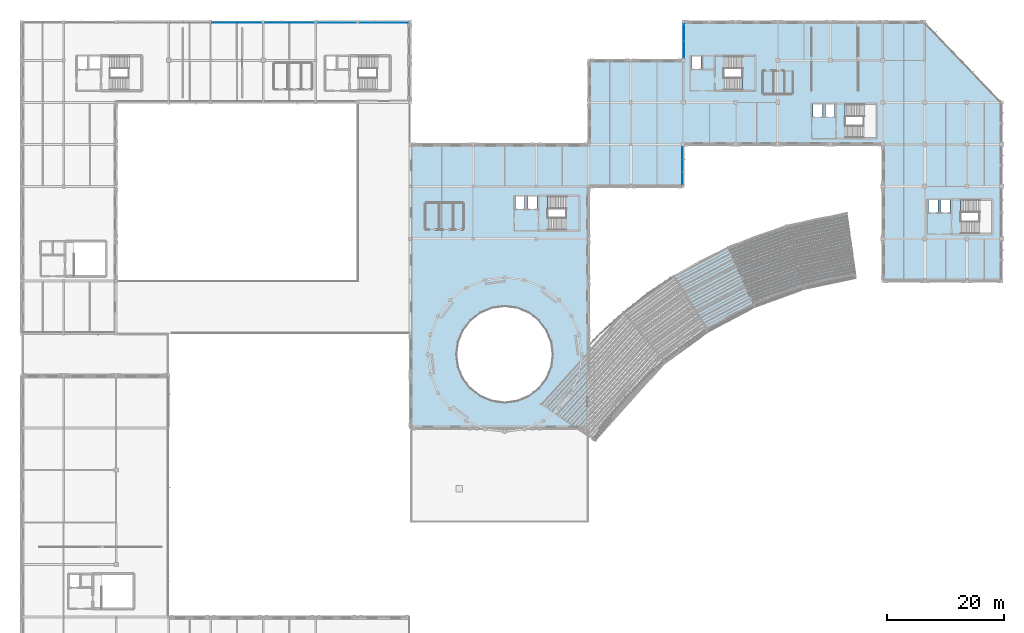
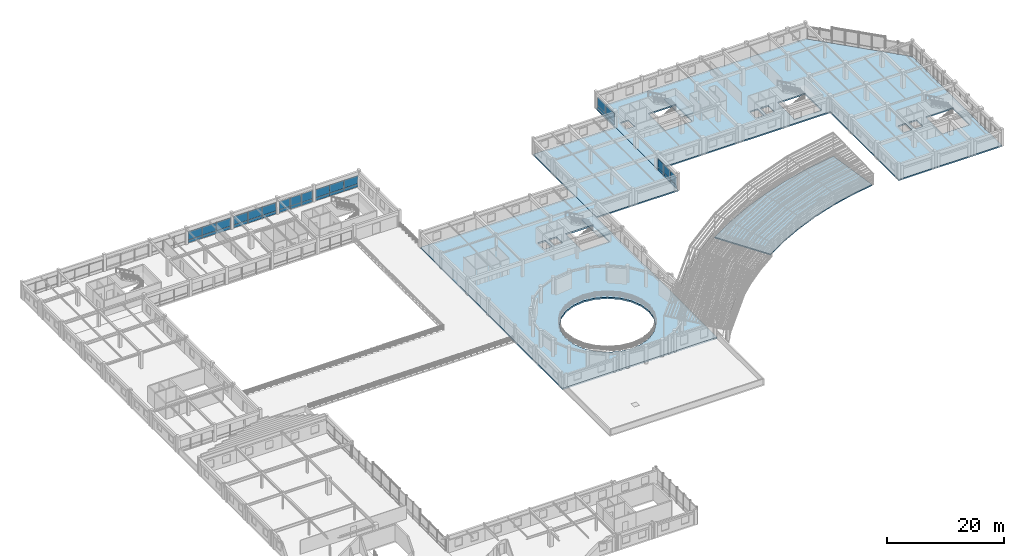
# One storey, part 42 of 74: 34 plates, 6 slabs, 8 elements without a shape of their own.
"""IFC4 building model written with IfcOpenShell, lengths in metres."""

from ifc_helpers import new_model, si_unit, direction, frame, frame_2d, origin, place, context, subcontext, project, spatial, polyline, rectangle, outline, extrude, material, layer, layer_set, type_object, element, aggregate, save


model = new_model("IFC4")

# Units and contexts
model_context = context("Model", 3, precision=1e-05, world=origin(), true_north=direction((0.0, 1.0)))
body_context = subcontext(model_context, "Body", "Model", "MODEL_VIEW")
ifc_project = project(units=[si_unit("LENGTHUNIT", "METRE"), si_unit("AREAUNIT", "SQUARE_METRE"), si_unit("VOLUMEUNIT", "CUBIC_METRE"), si_unit("PLANEANGLEUNIT", "RADIAN"), si_unit("MASSUNIT", "GRAM", prefix="KILO")], contexts=[model_context])

# Site, building, storey
site_placement = place(None, origin())
site = spatial("IfcSite", under=ifc_project, at=site_placement, CompositionType="ELEMENT")
building_placement = place(site_placement, origin())
building = spatial("IfcBuilding", under=site, at=building_placement, Name="Clarverna Civic Hall", CompositionType="ELEMENT")
storey_placement = place(building_placement, frame((0.0, 0.0, 13.199951171875)))
storey = spatial("IfcBuildingStorey", under=building, at=storey_placement, Name="L03", CompositionType="ELEMENT", Elevation=13.199951171875)

# Curtain wall, plates
ifc_material_1 = material(Name="Anodised Bronze Architectural Aluminium", Category="aluminium")
curtain_wall_type_1 = type_object("IfcCurtainWallType", Name="CW-01", PredefinedType="USERDEFINED", material=ifc_material_1)
curtain_wall_1_placement = place(storey_placement, origin())
curtain_wall_1 = element("IfcCurtainWall", 1, at=curtain_wall_1_placement, inside=storey, type_object=curtain_wall_type_1, Name="CW-01-063", ObjectType="UNITISED CURTAIN WALL", PredefinedType="USERDEFINED")
ifc_material_2 = material(Name="Solar-Control Argon Low-E Double Glazing", Category="glass")
ifc_layer_1 = layer(ifc_material_2, 0.031982421875)
ifc_layer_set_1 = layer_set([ifc_layer_1], Name="Solar-Control Argon Low-E Double Glazing")
plate_type_1 = type_object("IfcPlateType", Name="CWP-01", PredefinedType="CURTAIN_PANEL", material=ifc_layer_set_1)
plate_1_placement = place(storey_placement, frame((113.5400390625, 109.863037109375, 0.76513671875), z_axis=(0.0, 0.0, 1.0), x_axis=(0.0, 1.0, 0.0)))
plate_1 = element("IfcPlate", 2, at=plate_1_placement, type_object=plate_type_1, Name="CWP-01-389", PredefinedType="CURTAIN_PANEL", context=body_context, shape_type="SweptSolid", body=[
    extrude(rectangle(XDim=2.846923828125, YDim=0.031982421875, at=frame_2d((1.42333984375, 0.0))), origin(), (0.0, 0.0, 1.0), 1.764892578125),
])
plate_2_placement = place(storey_placement, frame((113.5400390625, 112.739990234375, 0.76513671875), z_axis=(0.0, 0.0, 1.0), x_axis=(0.0, 1.0, 0.0)))
plate_2 = element("IfcPlate", 3, at=plate_2_placement, type_object=plate_type_1, Name="CWP-01-390", PredefinedType="CURTAIN_PANEL", context=body_context, shape_type="SweptSolid", body=[
    extrude(rectangle(XDim=2.846923828125, YDim=0.031982421875, at=frame_2d((1.42333984375, 0.0))), origin(), (0.0, 0.0, 1.0), 1.764892578125),
])

curtain_wall_2_placement = place(storey_placement, origin())
curtain_wall_2 = element("IfcCurtainWall", 4, at=curtain_wall_2_placement, inside=storey, type_object=curtain_wall_type_1, Name="CW-01-076", ObjectType="UNITISED CURTAIN WALL", PredefinedType="USERDEFINED")
plate_3_placement = place(storey_placement, frame((113.260009765625, 94.537109375, 0.76513671875), z_axis=(0.0, 0.0, 1.0), x_axis=(0.0, -1.0, 0.0)))
plate_3 = element("IfcPlate", 5, at=plate_3_placement, type_object=plate_type_1, Name="CWP-01-415", PredefinedType="CURTAIN_PANEL", context=body_context, shape_type="SweptSolid", body=[
    extrude(rectangle(XDim=2.121337890625, YDim=0.031982421875, at=frame_2d((1.060546875, 0.0))), origin(), (0.0, 0.0, 1.0), 1.77490234375),
])
plate_4_placement = place(storey_placement, frame((113.260009765625, 92.3857421875, 0.76513671875), z_axis=(0.0, 0.0, 1.0), x_axis=(0.0, -1.0, 0.0)))
plate_4 = element("IfcPlate", 6, at=plate_4_placement, type_object=plate_type_1, Name="CWP-01-416", PredefinedType="CURTAIN_PANEL", context=body_context, shape_type="SweptSolid", body=[
    extrude(rectangle(XDim=2.121337890625, YDim=0.031982421875, at=frame_2d((1.060546875, 0.0))), origin(), (0.0, 0.0, 1.0), 1.77490234375),
])
plate_5_placement = place(storey_placement, frame((113.260009765625, 90.234375, 0.76513671875), z_axis=(0.0, 0.0, 1.0), x_axis=(0.0, -1.0, 0.0)))
plate_5 = element("IfcPlate", 7, at=plate_5_placement, type_object=plate_type_1, Name="CWP-01-417", PredefinedType="CURTAIN_PANEL", context=body_context, shape_type="SweptSolid", body=[
    extrude(rectangle(XDim=2.121337890625, YDim=0.031982421875, at=frame_2d((1.060546875, 0.0))), origin(), (0.0, 0.0, 1.0), 1.77490234375),
])

curtain_wall_type_2 = type_object("IfcCurtainWallType", Name="CW-05", PredefinedType="USERDEFINED", material=ifc_material_1)
curtain_wall_3_placement = place(storey_placement, origin())
curtain_wall_3 = element("IfcCurtainWall", 8, at=curtain_wall_3_placement, inside=storey, type_object=curtain_wall_type_2, Name="CW-05-005", ObjectType="UNITISED CURTAIN WALL", PredefinedType="USERDEFINED")
plate_6_placement = place(storey_placement, frame((32.712890625, 115.860107421875, 0.76513671875), z_axis=(0.0, 0.0, 1.0), x_axis=(1.0, 0.0, 0.0)))
plate_6 = element("IfcPlate", 9, at=plate_6_placement, type_object=plate_type_1, Name="CWP-01-430", PredefinedType="CURTAIN_PANEL", context=body_context, shape_type="SweptSolid", body=[
    extrude(rectangle(XDim=2.76318359375, YDim=0.031982421875, at=frame_2d((1.381591796875, 0.0))), origin(), (0.0, 0.0, 1.0), 1.704833984375),
])
plate_7_placement = place(storey_placement, frame((35.506103515625, 115.860107421875, 0.76513671875), z_axis=(0.0, 0.0, 1.0), x_axis=(1.0, 0.0, 0.0)))
plate_7 = element("IfcPlate", 10, at=plate_7_placement, type_object=plate_type_1, Name="CWP-01-431", PredefinedType="CURTAIN_PANEL", context=body_context, shape_type="SweptSolid", body=[
    extrude(rectangle(XDim=2.762939453125, YDim=0.031982421875, at=frame_2d((1.38134765625, 0.0))), origin(), (0.0, 0.0, 1.0), 1.704833984375),
])
plate_8_placement = place(storey_placement, frame((38.299072265625, 115.860107421875, 0.76513671875), z_axis=(0.0, 0.0, 1.0), x_axis=(1.0, 0.0, 0.0)))
plate_8 = element("IfcPlate", 11, at=plate_8_placement, type_object=plate_type_1, Name="CWP-01-432", PredefinedType="CURTAIN_PANEL", context=body_context, shape_type="SweptSolid", body=[
    extrude(rectangle(XDim=2.762939453125, YDim=0.031982421875, at=frame_2d((1.38134765625, 0.0))), origin(), (0.0, 0.0, 1.0), 1.704833984375),
])

curtain_wall_4_placement = place(storey_placement, origin())
curtain_wall_4 = element("IfcCurtainWall", 12, at=curtain_wall_4_placement, inside=storey, type_object=curtain_wall_type_2, Name="CW-05-006", ObjectType="UNITISED CURTAIN WALL", PredefinedType="USERDEFINED")
plate_9_placement = place(storey_placement, frame((41.738037109375, 115.860107421875, 0.76513671875), z_axis=(0.0, 0.0, 1.0), x_axis=(1.0, 0.0, 0.0)))
plate_9 = element("IfcPlate", 13, at=plate_9_placement, type_object=plate_type_1, Name="CWP-01-433", PredefinedType="CURTAIN_PANEL", context=body_context, shape_type="SweptSolid", body=[
    extrude(rectangle(XDim=2.762939453125, YDim=0.031982421875, at=frame_2d((1.38134765625, 0.0))), origin(), (0.0, 0.0, 1.0), 1.744873046875),
])
plate_10_placement = place(storey_placement, frame((44.531005859375, 115.860107421875, 0.76513671875), z_axis=(0.0, 0.0, 1.0), x_axis=(1.0, 0.0, 0.0)))
plate_10 = element("IfcPlate", 14, at=plate_10_placement, type_object=plate_type_1, Name="CWP-01-434", PredefinedType="CURTAIN_PANEL", context=body_context, shape_type="SweptSolid", body=[
    extrude(rectangle(XDim=2.762939453125, YDim=0.031982421875, at=frame_2d((1.38134765625, 0.0))), origin(), (0.0, 0.0, 1.0), 1.744873046875),
])
plate_11_placement = place(storey_placement, frame((47.323974609375, 115.860107421875, 0.76513671875), z_axis=(0.0, 0.0, 1.0), x_axis=(1.0, 0.0, 0.0)))
plate_11 = element("IfcPlate", 15, at=plate_11_placement, type_object=plate_type_1, Name="CWP-01-435", PredefinedType="CURTAIN_PANEL", context=body_context, shape_type="SweptSolid", body=[
    extrude(rectangle(XDim=2.762939453125, YDim=0.031982421875, at=frame_2d((1.38134765625, 0.0))), origin(), (0.0, 0.0, 1.0), 1.744873046875),
])

curtain_wall_5_placement = place(storey_placement, origin())
curtain_wall_5 = element("IfcCurtainWall", 16, at=curtain_wall_5_placement, inside=storey, type_object=curtain_wall_type_2, Name="CW-05-007", ObjectType="UNITISED CURTAIN WALL", PredefinedType="USERDEFINED")
plate_12_placement = place(storey_placement, frame((50.712890625, 115.860107421875, 0.76513671875), z_axis=(0.0, 0.0, 1.0), x_axis=(1.0, 0.0, 0.0)))
plate_12 = element("IfcPlate", 17, at=plate_12_placement, type_object=plate_type_1, Name="CWP-01-436", PredefinedType="CURTAIN_PANEL", context=body_context, shape_type="SweptSolid", body=[
    extrude(rectangle(XDim=2.17138671875, YDim=0.031982421875, at=frame_2d((1.085693359375, 0.0))), origin(), (0.0, 0.0, 1.0), 1.704833984375),
])
plate_13_placement = place(storey_placement, frame((52.914306640625, 115.860107421875, 0.76513671875), z_axis=(0.0, 0.0, 1.0), x_axis=(1.0, 0.0, 0.0)))
plate_13 = element("IfcPlate", 18, at=plate_13_placement, type_object=plate_type_1, Name="CWP-01-437", PredefinedType="CURTAIN_PANEL", context=body_context, shape_type="SweptSolid", body=[
    extrude(rectangle(XDim=2.17138671875, YDim=0.031982421875, at=frame_2d((1.085693359375, 0.0))), origin(), (0.0, 0.0, 1.0), 1.704833984375),
])
plate_14_placement = place(storey_placement, frame((55.11572265625, 115.860107421875, 0.76513671875), z_axis=(0.0, 0.0, 1.0), x_axis=(1.0, 0.0, 0.0)))
plate_14 = element("IfcPlate", 19, at=plate_14_placement, type_object=plate_type_1, Name="CWP-01-438", PredefinedType="CURTAIN_PANEL", context=body_context, shape_type="SweptSolid", body=[
    extrude(rectangle(XDim=2.17138671875, YDim=0.031982421875, at=frame_2d((1.085693359375, 0.0))), origin(), (0.0, 0.0, 1.0), 1.704833984375),
])

curtain_wall_6_placement = place(storey_placement, origin())
curtain_wall_6 = element("IfcCurtainWall", 20, at=curtain_wall_6_placement, inside=storey, type_object=curtain_wall_type_2, Name="CW-05-008", ObjectType="UNITISED CURTAIN WALL", PredefinedType="USERDEFINED")
plate_15_placement = place(storey_placement, frame((57.9130859375, 115.860107421875, 0.76513671875), z_axis=(0.0, 0.0, 1.0), x_axis=(1.0, 0.0, 0.0)))
plate_15 = element("IfcPlate", 21, at=plate_15_placement, type_object=plate_type_1, Name="CWP-01-439", PredefinedType="CURTAIN_PANEL", context=body_context, shape_type="SweptSolid", body=[
    extrude(rectangle(XDim=2.771240234375, YDim=0.031982421875, at=frame_2d((1.3857421875, 0.0))), origin(), (0.0, 0.0, 1.0), 1.704833984375),
])
plate_16_placement = place(storey_placement, frame((60.71435546875, 115.860107421875, 0.76513671875), z_axis=(0.0, 0.0, 1.0), x_axis=(1.0, 0.0, 0.0)))
plate_16 = element("IfcPlate", 22, at=plate_16_placement, type_object=plate_type_1, Name="CWP-01-440", PredefinedType="CURTAIN_PANEL", context=body_context, shape_type="SweptSolid", body=[
    extrude(rectangle(XDim=2.771240234375, YDim=0.031982421875, at=frame_2d((1.3857421875, 0.0))), origin(), (0.0, 0.0, 1.0), 1.704833984375),
])
plate_17_placement = place(storey_placement, frame((63.515625, 115.860107421875, 0.76513671875), z_axis=(0.0, 0.0, 1.0), x_axis=(1.0, 0.0, 0.0)))
plate_17 = element("IfcPlate", 23, at=plate_17_placement, type_object=plate_type_1, Name="CWP-01-441", PredefinedType="CURTAIN_PANEL", context=body_context, shape_type="SweptSolid", body=[
    extrude(rectangle(XDim=2.771484375, YDim=0.031982421875, at=frame_2d((1.3857421875, 0.0))), origin(), (0.0, 0.0, 1.0), 1.704833984375),
])

# Plate
ifc_material_3 = material(Name="Insulated Anodised Bronze Spandrel Panel", Category="aluminium")
ifc_layer_2 = layer(ifc_material_3, 0.048095703125)
ifc_layer_set_2 = layer_set([ifc_layer_2], Name="Insulated Anodised Bronze Spandrel Panel")
plate_type_2 = type_object("IfcPlateType", Name="CWP-03", PredefinedType="CURTAIN_PANEL", material=ifc_layer_set_2)
plate_18_placement = place(storey_placement, frame((113.5400390625, 109.863037109375, 0.110107421875), z_axis=(0.0, 0.0, 1.0), x_axis=(0.0, 1.0, 0.0)))
plate_18 = element("IfcPlate", 24, at=plate_18_placement, type_object=plate_type_2, Name="CWP-03-391", PredefinedType="CURTAIN_PANEL", context=body_context, shape_type="SweptSolid", body=[
    extrude(rectangle(XDim=2.846923828125, YDim=0.048095703125, at=frame_2d((1.42333984375, 0.0))), origin(), (0.0, 0.0, 1.0), 0.625),
])

plate_19_placement = place(storey_placement, frame((113.5400390625, 112.739990234375, 0.110107421875), z_axis=(0.0, 0.0, 1.0), x_axis=(0.0, 1.0, 0.0)))
plate_19 = element("IfcPlate", 25, at=plate_19_placement, type_object=plate_type_2, Name="CWP-03-392", PredefinedType="CURTAIN_PANEL", context=body_context, shape_type="SweptSolid", body=[
    extrude(rectangle(XDim=2.846923828125, YDim=0.048095703125, at=frame_2d((1.42333984375, 0.0))), origin(), (0.0, 0.0, 1.0), 0.625),
])

aggregate(curtain_wall_1, [plate_18, plate_1, plate_19, plate_2])

plate_20_placement = place(storey_placement, frame((113.260009765625, 94.537109375, 0.110107421875), z_axis=(0.0, 0.0, 1.0), x_axis=(0.0, -1.0, 0.0)))
plate_20 = element("IfcPlate", 26, at=plate_20_placement, type_object=plate_type_2, Name="CWP-03-417", PredefinedType="CURTAIN_PANEL", context=body_context, shape_type="SweptSolid", body=[
    extrude(rectangle(XDim=2.121337890625, YDim=0.048095703125, at=frame_2d((1.060546875, 0.0))), origin(), (0.0, 0.0, 1.0), 0.625),
])

plate_21_placement = place(storey_placement, frame((113.260009765625, 92.3857421875, 0.110107421875), z_axis=(0.0, 0.0, 1.0), x_axis=(0.0, -1.0, 0.0)))
plate_21 = element("IfcPlate", 27, at=plate_21_placement, type_object=plate_type_2, Name="CWP-03-418", PredefinedType="CURTAIN_PANEL", context=body_context, shape_type="SweptSolid", body=[
    extrude(rectangle(XDim=2.121337890625, YDim=0.048095703125, at=frame_2d((1.060546875, 0.0))), origin(), (0.0, 0.0, 1.0), 0.625),
])

plate_22_placement = place(storey_placement, frame((113.260009765625, 90.234375, 0.110107421875), z_axis=(0.0, 0.0, 1.0), x_axis=(0.0, -1.0, 0.0)))
plate_22 = element("IfcPlate", 28, at=plate_22_placement, type_object=plate_type_2, Name="CWP-03-419", PredefinedType="CURTAIN_PANEL", context=body_context, shape_type="SweptSolid", body=[
    extrude(rectangle(XDim=2.121337890625, YDim=0.048095703125, at=frame_2d((1.060546875, 0.0))), origin(), (0.0, 0.0, 1.0), 0.625),
])

aggregate(curtain_wall_2, [plate_20, plate_3, plate_21, plate_4, plate_22, plate_5])

plate_23_placement = place(storey_placement, frame((32.712890625, 115.860107421875, 0.110107421875), z_axis=(0.0, 0.0, 1.0), x_axis=(1.0, 0.0, 0.0)))
plate_23 = element("IfcPlate", 29, at=plate_23_placement, type_object=plate_type_2, Name="CWP-03-432", PredefinedType="CURTAIN_PANEL", context=body_context, shape_type="SweptSolid", body=[
    extrude(rectangle(XDim=2.76318359375, YDim=0.048095703125, at=frame_2d((1.381591796875, 0.0))), origin(), (0.0, 0.0, 1.0), 0.625),
])

plate_24_placement = place(storey_placement, frame((35.506103515625, 115.860107421875, 0.110107421875), z_axis=(0.0, 0.0, 1.0), x_axis=(1.0, 0.0, 0.0)))
plate_24 = element("IfcPlate", 30, at=plate_24_placement, type_object=plate_type_2, Name="CWP-03-433", PredefinedType="CURTAIN_PANEL", context=body_context, shape_type="SweptSolid", body=[
    extrude(rectangle(XDim=2.762939453125, YDim=0.048095703125, at=frame_2d((1.38134765625, 0.0))), origin(), (0.0, 0.0, 1.0), 0.625),
])

plate_25_placement = place(storey_placement, frame((38.299072265625, 115.860107421875, 0.110107421875), z_axis=(0.0, 0.0, 1.0), x_axis=(1.0, 0.0, 0.0)))
plate_25 = element("IfcPlate", 31, at=plate_25_placement, type_object=plate_type_2, Name="CWP-03-434", PredefinedType="CURTAIN_PANEL", context=body_context, shape_type="SweptSolid", body=[
    extrude(rectangle(XDim=2.762939453125, YDim=0.048095703125, at=frame_2d((1.38134765625, 0.0))), origin(), (0.0, 0.0, 1.0), 0.625),
])

aggregate(curtain_wall_3, [plate_23, plate_6, plate_24, plate_7, plate_25, plate_8])

plate_26_placement = place(storey_placement, frame((41.738037109375, 115.860107421875, 0.110107421875), z_axis=(0.0, 0.0, 1.0), x_axis=(1.0, 0.0, 0.0)))
plate_26 = element("IfcPlate", 32, at=plate_26_placement, type_object=plate_type_2, Name="CWP-03-435", PredefinedType="CURTAIN_PANEL", context=body_context, shape_type="SweptSolid", body=[
    extrude(rectangle(XDim=2.762939453125, YDim=0.048095703125, at=frame_2d((1.38134765625, 0.0))), origin(), (0.0, 0.0, 1.0), 0.625),
])

plate_27_placement = place(storey_placement, frame((44.531005859375, 115.860107421875, 0.110107421875), z_axis=(0.0, 0.0, 1.0), x_axis=(1.0, 0.0, 0.0)))
plate_27 = element("IfcPlate", 33, at=plate_27_placement, type_object=plate_type_2, Name="CWP-03-436", PredefinedType="CURTAIN_PANEL", context=body_context, shape_type="SweptSolid", body=[
    extrude(rectangle(XDim=2.762939453125, YDim=0.048095703125, at=frame_2d((1.38134765625, 0.0))), origin(), (0.0, 0.0, 1.0), 0.625),
])

plate_28_placement = place(storey_placement, frame((47.323974609375, 115.860107421875, 0.110107421875), z_axis=(0.0, 0.0, 1.0), x_axis=(1.0, 0.0, 0.0)))
plate_28 = element("IfcPlate", 34, at=plate_28_placement, type_object=plate_type_2, Name="CWP-03-437", PredefinedType="CURTAIN_PANEL", context=body_context, shape_type="SweptSolid", body=[
    extrude(rectangle(XDim=2.762939453125, YDim=0.048095703125, at=frame_2d((1.38134765625, 0.0))), origin(), (0.0, 0.0, 1.0), 0.625),
])

aggregate(curtain_wall_4, [plate_26, plate_9, plate_27, plate_10, plate_28, plate_11])

plate_29_placement = place(storey_placement, frame((50.712890625, 115.860107421875, 0.110107421875), z_axis=(0.0, 0.0, 1.0), x_axis=(1.0, 0.0, 0.0)))
plate_29 = element("IfcPlate", 35, at=plate_29_placement, type_object=plate_type_2, Name="CWP-03-438", PredefinedType="CURTAIN_PANEL", context=body_context, shape_type="SweptSolid", body=[
    extrude(rectangle(XDim=2.17138671875, YDim=0.048095703125, at=frame_2d((1.085693359375, 0.0))), origin(), (0.0, 0.0, 1.0), 0.625),
])

plate_30_placement = place(storey_placement, frame((52.914306640625, 115.860107421875, 0.110107421875), z_axis=(0.0, 0.0, 1.0), x_axis=(1.0, 0.0, 0.0)))
plate_30 = element("IfcPlate", 36, at=plate_30_placement, type_object=plate_type_2, Name="CWP-03-439", PredefinedType="CURTAIN_PANEL", context=body_context, shape_type="SweptSolid", body=[
    extrude(rectangle(XDim=2.17138671875, YDim=0.048095703125, at=frame_2d((1.085693359375, 0.0))), origin(), (0.0, 0.0, 1.0), 0.625),
])

plate_31_placement = place(storey_placement, frame((55.11572265625, 115.860107421875, 0.110107421875), z_axis=(0.0, 0.0, 1.0), x_axis=(1.0, 0.0, 0.0)))
plate_31 = element("IfcPlate", 37, at=plate_31_placement, type_object=plate_type_2, Name="CWP-03-440", PredefinedType="CURTAIN_PANEL", context=body_context, shape_type="SweptSolid", body=[
    extrude(rectangle(XDim=2.17138671875, YDim=0.048095703125, at=frame_2d((1.085693359375, 0.0))), origin(), (0.0, 0.0, 1.0), 0.625),
])

aggregate(curtain_wall_5, [plate_29, plate_12, plate_30, plate_13, plate_31, plate_14])

plate_32_placement = place(storey_placement, frame((57.9130859375, 115.860107421875, 0.110107421875), z_axis=(0.0, 0.0, 1.0), x_axis=(1.0, 0.0, 0.0)))
plate_32 = element("IfcPlate", 38, at=plate_32_placement, type_object=plate_type_2, Name="CWP-03-441", PredefinedType="CURTAIN_PANEL", context=body_context, shape_type="SweptSolid", body=[
    extrude(rectangle(XDim=2.771240234375, YDim=0.048095703125, at=frame_2d((1.3857421875, 0.0))), origin(), (0.0, 0.0, 1.0), 0.625),
])

plate_33_placement = place(storey_placement, frame((60.71435546875, 115.860107421875, 0.110107421875), z_axis=(0.0, 0.0, 1.0), x_axis=(1.0, 0.0, 0.0)))
plate_33 = element("IfcPlate", 39, at=plate_33_placement, type_object=plate_type_2, Name="CWP-03-442", PredefinedType="CURTAIN_PANEL", context=body_context, shape_type="SweptSolid", body=[
    extrude(rectangle(XDim=2.771240234375, YDim=0.048095703125, at=frame_2d((1.3857421875, 0.0))), origin(), (0.0, 0.0, 1.0), 0.625),
])

plate_34_placement = place(storey_placement, frame((63.515625, 115.860107421875, 0.110107421875), z_axis=(0.0, 0.0, 1.0), x_axis=(1.0, 0.0, 0.0)))
plate_34 = element("IfcPlate", 40, at=plate_34_placement, type_object=plate_type_2, Name="CWP-03-443", PredefinedType="CURTAIN_PANEL", context=body_context, shape_type="SweptSolid", body=[
    extrude(rectangle(XDim=2.771484375, YDim=0.048095703125, at=frame_2d((1.3857421875, 0.0))), origin(), (0.0, 0.0, 1.0), 0.625),
])

aggregate(curtain_wall_6, [plate_32, plate_15, plate_33, plate_16, plate_34, plate_17])

# Slabs
ifc_material_4 = material(Name="Concrete C30/37", Category="concrete")
ifc_layer_3 = layer(ifc_material_4, 0.320068359375)
ifc_layer_set_3 = layer_set([ifc_layer_3], Name="Concrete C30/37")
slab_type_1 = type_object("IfcSlabType", Name="SL-FL2", PredefinedType="FLOOR", material=ifc_layer_set_3)
slab_1_placement = place(storey_placement, frame((0.0, 0.0, -0.320068359375)))
element("IfcSlab", 41, at=slab_1_placement, inside=storey, type_object=slab_type_1, Name="SL-FL2-012", PredefinedType="FLOOR", context=body_context, shape_type="SweptSolid", body=[
    extrude(outline(polyline([(97.175048828125, 95.0), (66.625, 95.0), (66.625, 46.39990234375), (97.175048828125, 46.39990234375), (97.175048828125, 95.0)]), holes=[polyline([(91.0, 59.0), (90.720703125, 61.122314453125), (89.9013671875, 63.10009765625), (88.598388671875, 64.79833984375), (86.89990234375, 66.101318359375), (84.92236328125, 66.920654296875), (82.800048828125, 67.199951171875), (80.677734375, 66.920654296875), (78.699951171875, 66.101318359375), (77.001708984375, 64.79833984375), (75.698486328125, 63.10009765625), (74.87939453125, 61.122314453125), (74.60009765625, 59.0), (74.87939453125, 56.877685546875), (75.698486328125, 54.89990234375), (77.001708984375, 53.20166015625), (78.699951171875, 51.898681640625), (80.677734375, 51.079345703125), (82.800048828125, 50.800048828125), (84.92236328125, 51.079345703125), (86.89990234375, 51.898681640625), (88.598388671875, 53.20166015625), (89.9013671875, 54.89990234375), (90.720703125, 56.877685546875), (91.0, 59.0)]), polyline([(90.14990234375, 80.320068359375), (95.550048828125, 80.320068359375), (95.550048828125, 86.080078125), (90.14990234375, 86.080078125), (90.14990234375, 80.320068359375)]), polyline([(84.669921875, 83.93994140625), (86.22998046875, 83.93994140625), (86.22998046875, 86.10009765625), (84.669921875, 86.10009765625), (84.669921875, 83.93994140625)]), polyline([(86.77001953125, 83.93994140625), (88.330078125, 83.93994140625), (88.330078125, 86.10009765625), (86.77001953125, 86.10009765625), (86.77001953125, 83.93994140625)])]), origin(), (0.0, 0.0, 1.0), 0.320068359375),
])
ifc_layer_4 = layer(ifc_material_4, 0.280029296875)
ifc_layer_set_4 = layer_set([ifc_layer_4], Name="Concrete C30/37")
slab_type_2 = type_object("IfcSlabType", Name="SL-FL4", PredefinedType="FLOOR", material=ifc_layer_set_4)
slab_2_placement = place(storey_placement, frame((0.0, 0.0, -0.280029296875)))
element("IfcSlab", 42, at=slab_2_placement, inside=storey, type_object=slab_type_2, Name="SL-FL4-016", PredefinedType="FLOOR", context=body_context, shape_type="SweptSolid", body=[
    extrude(outline(polyline([(113.39990234375, 95.0), (147.60009765625, 95.0), (147.60009765625, 71.60009765625), (168.0, 71.60009765625), (168.0, 102.199951171875), (154.800048828125, 116.0), (113.39990234375, 116.0), (113.39990234375, 95.0)]), holes=[polyline([(141.14990234375, 96.1201171875), (146.550048828125, 96.1201171875), (146.550048828125, 101.8798828125), (141.14990234375, 101.8798828125), (141.14990234375, 96.1201171875)]), polyline([(135.669921875, 99.739990234375), (137.22998046875, 99.739990234375), (137.22998046875, 101.89990234375), (135.669921875, 101.89990234375), (135.669921875, 99.739990234375)]), polyline([(137.77001953125, 99.739990234375), (139.330078125, 99.739990234375), (139.330078125, 101.89990234375), (137.77001953125, 101.89990234375), (137.77001953125, 99.739990234375)]), polyline([(160.949951171875, 79.719970703125), (166.35009765625, 79.719970703125), (166.35009765625, 85.47998046875), (160.949951171875, 85.47998046875), (160.949951171875, 79.719970703125)]), polyline([(155.469970703125, 83.340087890625), (157.030029296875, 83.340087890625), (157.030029296875, 85.5), (155.469970703125, 85.5), (155.469970703125, 83.340087890625)]), polyline([(157.570068359375, 83.340087890625), (159.1298828125, 83.340087890625), (159.1298828125, 85.5), (157.570068359375, 85.5), (157.570068359375, 83.340087890625)]), polyline([(120.35009765625, 104.320068359375), (125.75, 104.320068359375), (125.75, 110.080078125), (120.35009765625, 110.080078125), (120.35009765625, 104.320068359375)]), polyline([(114.8701171875, 107.93994140625), (116.429931640625, 107.93994140625), (116.429931640625, 110.10009765625), (114.8701171875, 110.10009765625), (114.8701171875, 107.93994140625)])]), origin(), (0.0, 0.0, 1.0), 0.280029296875),
])
slab_3_placement = place(storey_placement, frame((0.0, 0.0, -0.280029296875)))
element("IfcSlab", 43, at=slab_3_placement, inside=storey, type_object=slab_type_2, Name="SL-FL4-017", PredefinedType="FLOOR", context=body_context, shape_type="SweptSolid", body=[
    extrude(outline(polyline([(113.39990234375, 109.39990234375), (97.22509765625, 109.39990234375), (97.22509765625, 87.800048828125), (113.39990234375, 87.800048828125), (113.39990234375, 95.0), (113.39990234375, 109.39990234375)])), origin(), (0.0, 0.0, 1.0), 0.280029296875),
])

# Stair, slab
stair_type_1 = type_object("IfcStairType", Name="ST-H2", PredefinedType="HALF_TURN_STAIR", material=ifc_material_4)
stair_1_placement = place(storey_placement, origin())
stair_1 = element("IfcStair", 44, at=stair_1_placement, inside=storey, type_object=stair_type_1, Name="ST-H2:L03:0003", PredefinedType="HALF_TURN_STAIR")
ifc_layer_5 = layer(ifc_material_4, 0.199951171875)
ifc_layer_set_5 = layer_set([ifc_layer_5], Name="Concrete C30/37")
slab_type_3 = type_object("IfcSlabType", Name="SL-LD1", PredefinedType="LANDING", material=ifc_layer_set_5)
slab_4_placement = place(storey_placement, frame((0.0, 0.0, 1.60009765625)))
slab_4 = element("IfcSlab", 45, at=slab_4_placement, type_object=slab_type_3, Name="SL-LD1-021", PredefinedType="LANDING", context=body_context, shape_type="SweptSolid", body=[
    extrude(outline(polyline([(93.340087890625, 80.219970703125), (95.64990234375, 80.219970703125), (95.64990234375, 86.179931640625), (93.340087890625, 86.179931640625), (93.340087890625, 80.219970703125)])), origin(), (0.0, 0.0, 1.0), 0.199951171875),
])
aggregate(stair_1, [slab_4])

stair_type_2 = type_object("IfcStairType", Name="ST-H1", PredefinedType="HALF_TURN_STAIR", material=ifc_material_4)
stair_2_placement = place(storey_placement, origin())
stair_2 = element("IfcStair", 46, at=stair_2_placement, inside=storey, type_object=stair_type_2, Name="ST-H1:L03:0021", PredefinedType="HALF_TURN_STAIR")
slab_5_placement = place(storey_placement, frame((0.0, 0.0, 1.60009765625)))
slab_5 = element("IfcSlab", 47, at=slab_5_placement, type_object=slab_type_3, Name="SL-LD1-042", PredefinedType="LANDING", context=body_context, shape_type="SweptSolid", body=[
    extrude(outline(polyline([(123.5400390625, 104.219970703125), (125.85009765625, 104.219970703125), (125.85009765625, 110.179931640625), (123.5400390625, 110.179931640625), (123.5400390625, 104.219970703125)])), origin(), (0.0, 0.0, 1.0), 0.199951171875),
])
aggregate(stair_2, [slab_5])

# Slab
ifc_layer_6 = layer(ifc_material_4, 0.260009765625)
ifc_layer_set_6 = layer_set([ifc_layer_6], Name="Concrete C30/37")
slab_type_4 = type_object("IfcSlabType", Name="SL-RF1", PredefinedType="ROOF", material=ifc_layer_set_6)
slab_6_placement = place(storey_placement, frame((0.0, 0.0, -0.239990234375)))
element("IfcSlab", 48, at=slab_6_placement, inside=storey, type_object=slab_type_4, Name="SL-TR1-008", PredefinedType="ROOF", context=body_context, shape_type="SweptSolid", body=[
    extrude(outline(polyline([(134.0283203125, 70.67431640625), (138.444091796875, 71.775146484375), (142.92578125, 72.5654296875), (141.4228515625, 83.260498046875), (136.19873046875, 82.339111328125), (131.051513671875, 81.055908203125), (126.006591796875, 79.41650390625), (121.087890625, 77.429443359375), (116.3203125, 75.10400390625), (111.72607421875, 72.45166015625), (117.44921875, 63.292724609375), (121.390380859375, 65.568115234375), (125.480712890625, 67.563232421875), (129.7001953125, 69.26806640625), (134.0283203125, 70.67431640625)])), origin(), (0.0, 0.0, 1.0), 0.239990234375),
])

save(model, "model.ifc")
